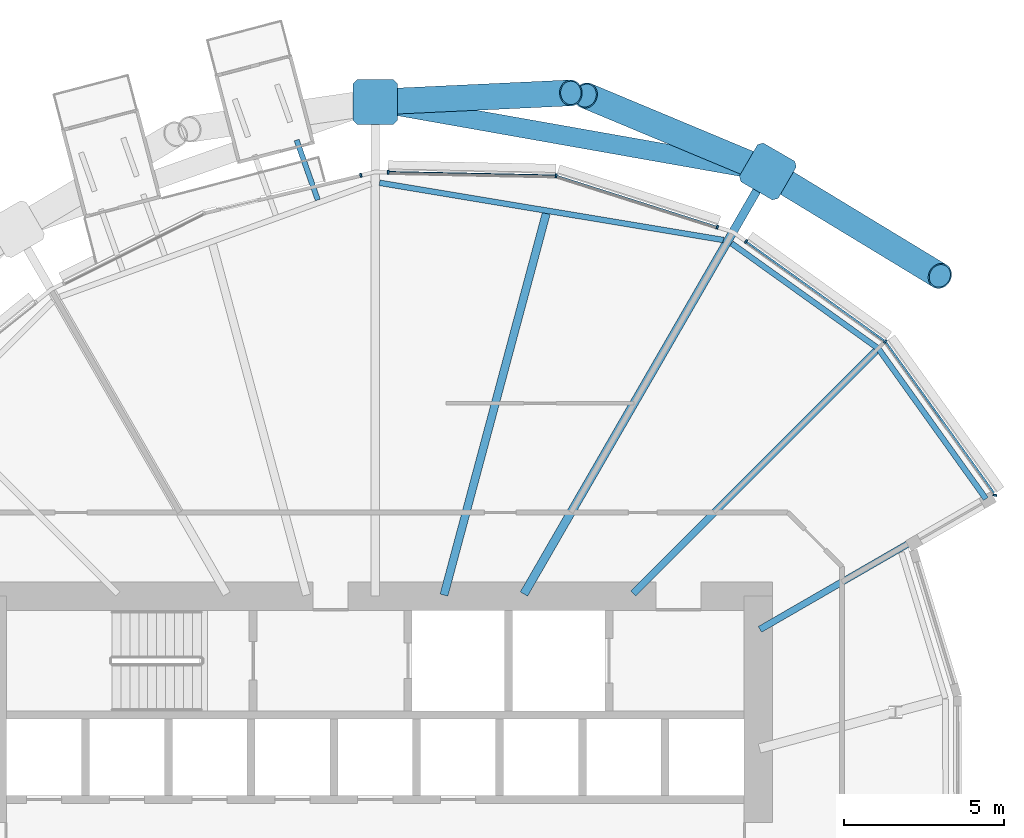
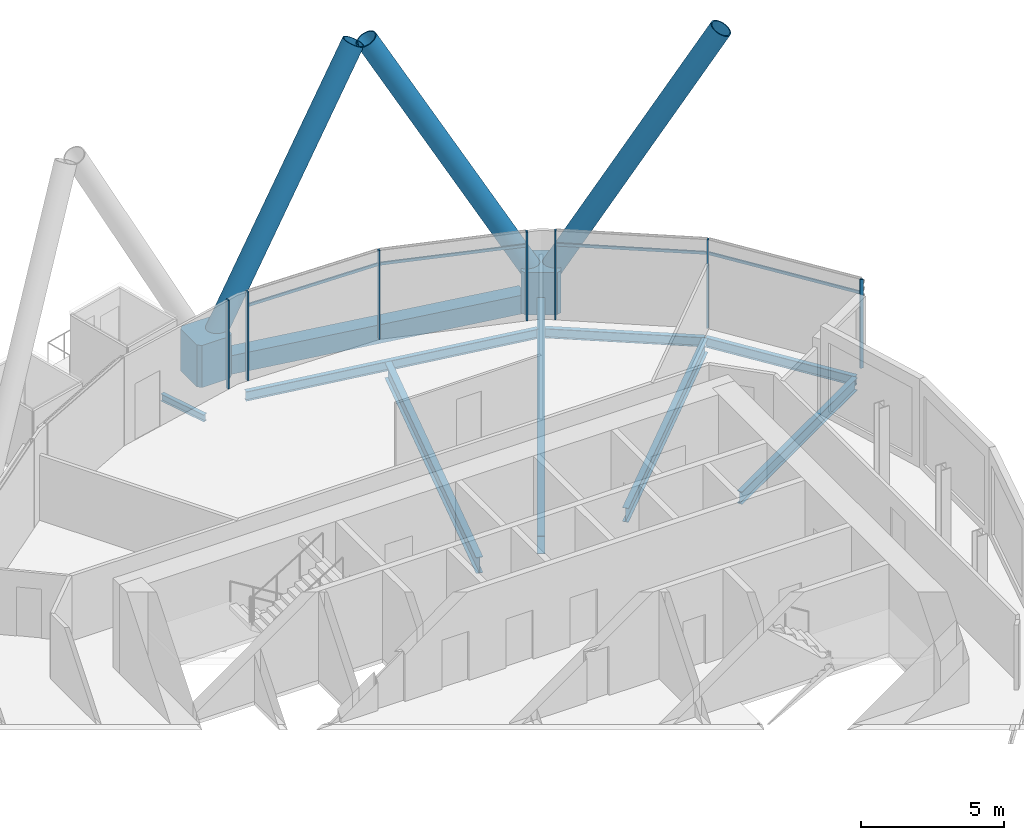
# One storey, part 19 of 34: 16 members, 9 beams, 1 element without a shape of its own.
"""IFC4 building model written with IfcOpenShell, lengths in metres."""

from ifc_helpers import new_model, si_unit, direction, frame, origin, origin_2d, place, context, subcontext, project, spatial, polyline, rectangle, hollow_rectangle, hollow_circle, i_section, outline, extrude, material, material_profile, profile_set, type_object, element, aggregate, save


model = new_model("IFC4")

# Units and contexts
model_context = context("Model", 3, precision=1e-05, world=origin(), true_north=direction((0.0, 1.0)))
body_context = subcontext(model_context, "Body", "Model", "MODEL_VIEW")
ifc_project = project(units=[si_unit("LENGTHUNIT", "METRE"), si_unit("AREAUNIT", "SQUARE_METRE"), si_unit("VOLUMEUNIT", "CUBIC_METRE"), si_unit("PLANEANGLEUNIT", "RADIAN"), si_unit("MASSUNIT", "GRAM", prefix="KILO")], contexts=[model_context])

# Site, building, storey
site_placement = place(None, origin())
site = spatial("IfcSite", under=ifc_project, at=site_placement, CompositionType="ELEMENT")
building_placement = place(site_placement, origin())
building = spatial("IfcBuilding", under=site, at=building_placement, Name="Rimbun Link Towers", CompositionType="ELEMENT")
storey_placement = place(building_placement, frame((0.0, 0.0, 41.39990234375)))
storey = spatial("IfcBuildingStorey", under=building, at=storey_placement, Name="L09", CompositionType="ELEMENT", Elevation=41.39990234375)

# Curtain wall, members
ifc_material_1 = material(Name="Aluminium 6063-T6 and low-iron glass", Category="aluminium")
curtain_wall_type = type_object("IfcCurtainWallType", Name="CW1 unitised vision wall", PredefinedType="NOTDEFINED", material=ifc_material_1)
curtain_wall_placement = place(storey_placement, origin())
curtain_wall = element("IfcCurtainWall", 1, at=curtain_wall_placement, inside=storey, type_object=curtain_wall_type, Name="CW1 L09 T2", PredefinedType="NOTDEFINED")
ifc_material_2 = material(Name="Aluminium 6063-T6", Category="aluminium")
ifc_material_profile_1 = material_profile(ifc_material_2, rectangle(XDim=0.1201171875, YDim=0.06005859375, at=origin_2d()), Name="MULLION 60X120")
ifc_profile_set_1 = profile_set([ifc_material_profile_1], Name="Aluminium 6063-T6")
member_type_1 = type_object("IfcMemberType", Name="CW1 mullion 60X120", PredefinedType="MULLION", material=ifc_profile_set_1)
member_1_placement = place(storey_placement, frame((43.367431640625, 19.11474609375, 0.0), z_axis=(0.0, 0.0, 1.0), x_axis=(0.582995512796, 0.812475373202, 0.0)))
member_1 = element("IfcMember", 2, at=member_1_placement, type_object=member_type_1, Name="CW1 mullion", PredefinedType="MULLION", context=body_context, shape_type="SweptSolid", body=[
    extrude(rectangle(XDim=0.1201171875, YDim=0.06005859375, at=origin_2d()), origin(), (0.0, 0.0, 1.0), 3.800048828125),
])
member_2_placement = place(storey_placement, frame((47.73193359375, 15.98193359375, 0.0), z_axis=(0.0, 0.0, 1.0), x_axis=(0.707106781187, 0.707106781187, 0.0)))
member_2 = element("IfcMember", 3, at=member_2_placement, type_object=member_type_1, Name="CW1 mullion", PredefinedType="MULLION", context=body_context, shape_type="SweptSolid", body=[
    extrude(rectangle(XDim=0.1201171875, YDim=0.06005859375, at=origin_2d()), origin(), (0.0, 0.0, 1.0), 3.800048828125),
])
member_3_placement = place(storey_placement, frame((37.4169921875, 21.171875, 0.0), z_axis=(0.0, 0.0, 1.0), x_axis=(0.163749935396, 0.986501879703, 0.0)))
member_3 = element("IfcMember", 4, at=member_3_placement, type_object=member_type_1, Name="CW1 mullion", PredefinedType="MULLION", context=body_context, shape_type="SweptSolid", body=[
    extrude(rectangle(XDim=0.1201171875, YDim=0.06005859375, at=origin_2d()), origin(), (0.0, 0.0, 1.0), 3.800048828125),
])
member_4_placement = place(storey_placement, frame((42.4677734375, 19.566162109375, 0.0), z_axis=(0.0, 0.0, 1.0), x_axis=(0.303071090127, 0.952967950316, 0.0)))
member_4 = element("IfcMember", 5, at=member_4_placement, type_object=member_type_1, Name="CW1 mullion", PredefinedType="MULLION", context=body_context, shape_type="SweptSolid", body=[
    extrude(rectangle(XDim=0.1201171875, YDim=0.06005859375, at=origin_2d()), origin(), (0.0, 0.0, 1.0), 3.800048828125),
])
member_5_placement = place(storey_placement, frame((32.151123046875, 21.283447265625, 0.0), z_axis=(0.0, 0.0, 1.0), x_axis=(0.021066190713, 0.999778083181, 0.0)))
member_5 = element("IfcMember", 6, at=member_5_placement, type_object=member_type_1, Name="CW1 mullion", PredefinedType="MULLION", context=body_context, shape_type="SweptSolid", body=[
    extrude(rectangle(XDim=0.1201171875, YDim=0.06005859375, at=origin_2d()), origin(), (0.0, 0.0, 1.0), 3.800048828125),
])
member_6_placement = place(storey_placement, frame((31.29833984375, 21.185546875, 0.0), z_axis=(0.0, 0.0, 1.0), x_axis=(-0.232609871785, 0.972570124746, 0.0)))
member_6 = element("IfcMember", 7, at=member_6_placement, type_object=member_type_1, Name="CW1 mullion", PredefinedType="MULLION", context=body_context, shape_type="SweptSolid", body=[
    extrude(rectangle(XDim=0.1201171875, YDim=0.06005859375, at=origin_2d()), origin(), (0.0, 0.0, 1.0), 3.800048828125),
])
member_7_placement = place(storey_placement, frame((51.166259765625, 11.163330078125, 0.0), z_axis=(0.0, 0.0, 1.0), x_axis=(0.977528822736, -0.210801804358, 0.0)))
member_7 = element("IfcMember", 8, at=member_7_placement, type_object=member_type_1, Name="CW1 mullion", PredefinedType="MULLION", context=body_context, shape_type="SweptSolid", body=[
    extrude(rectangle(XDim=0.1201171875, YDim=0.06005859375, at=origin_2d()), origin(), (0.0, 0.0, 1.0), 3.800048828125),
])
ifc_material_3 = material(Name="Aluminium 6063-T6", Category="aluminium")
ifc_material_profile_2 = material_profile(ifc_material_3, rectangle(XDim=0.06005859375, YDim=0.1201171875, at=origin_2d()), Name="TRANSOM 60X120")
ifc_profile_set_2 = profile_set([ifc_material_profile_2], Name="Aluminium 6063-T6")
member_type_2 = type_object("IfcMemberType", Name="CW1 transom 60X120", PredefinedType="USERDEFINED", material=ifc_profile_set_2)
member_8_placement = place(storey_placement, frame((43.390625, 19.095703125, 3.2001953125), z_axis=(0.812468559885, -0.583005007867, 0.0), x_axis=(0.583005007867, 0.812468559885, 0.0)))
member_8 = element("IfcMember", 9, at=member_8_placement, type_object=member_type_2, Name="CW1 transom", ObjectType="TRANSOM", PredefinedType="USERDEFINED", context=body_context, shape_type="SweptSolid", body=[
    extrude(rectangle(XDim=0.06005859375, YDim=0.1201171875, at=origin_2d()), origin(), (0.0, 0.0, 1.0), 5.302734375),
])
member_9_placement = place(storey_placement, frame((37.453369140625, 21.158935546875, 3.2001953125), z_axis=(0.952969899193, -0.303064962065, 0.0), x_axis=(0.303064962065, 0.952969899193, 0.0)))
member_9 = element("IfcMember", 10, at=member_9_placement, type_object=member_type_2, Name="CW1 transom", ObjectType="TRANSOM", PredefinedType="USERDEFINED", context=body_context, shape_type="SweptSolid", body=[
    extrude(rectangle(XDim=0.06005859375, YDim=0.1201171875, at=origin_2d()), origin(), (0.0, 0.0, 1.0), 5.2314453125),
])
member_10_placement = place(storey_placement, frame((32.18115234375, 21.28076171875, 3.2001953125), z_axis=(0.999778633406, -0.021040061432, 0.0), x_axis=(0.021040061432, 0.999778633406, 0.0)))
member_10 = element("IfcMember", 11, at=member_10_placement, type_object=member_type_2, Name="CW1 transom", ObjectType="TRANSOM", PredefinedType="USERDEFINED", context=body_context, shape_type="SweptSolid", body=[
    extrude(rectangle(XDim=0.06005859375, YDim=0.1201171875, at=origin_2d()), origin(), (0.0, 0.0, 1.0), 5.198486328125),
])
member_11_placement = place(storey_placement, frame((47.754150390625, 15.948974609375, 3.2001953125), z_axis=(0.583003884186, -0.812469366206, 0.0), x_axis=(0.812469366206, 0.583003884186, 0.0)))
member_11 = element("IfcMember", 12, at=member_11_placement, type_object=member_type_2, Name="CW1 transom", ObjectType="TRANSOM", PredefinedType="USERDEFINED", context=body_context, shape_type="SweptSolid", body=[
    extrude(rectangle(XDim=0.06005859375, YDim=0.1201171875, at=origin_2d()), origin(), (0.0, 0.0, 1.0), 5.802734375),
])
aggregate(curtain_wall, [member_1, member_2, member_3, member_4, member_5, member_6, member_7, member_8, member_9, member_10, member_11])

# Beam
ifc_material_4 = material(Name="Steel S355J2", Category="steel")
ifc_material_profile_3 = material_profile(ifc_material_4, i_section(OverallWidth=0.1650390625, OverallDepth=0.303466796875, WebThickness=0.006103515625, FlangeThickness=0.01025390625, at=origin_2d()), Name="UB 305x165x40")
ifc_profile_set_3 = profile_set([ifc_material_profile_3], Name="Steel S355J2")
beam_type_1 = type_object("IfcBeamType", Name="Capsule bracket beam UB 305x165x40", PredefinedType="BEAM", material=ifc_profile_set_3)
beam_1_placement = place(storey_placement, frame((29.94970703125, 20.413818359375, -0.3115234375), z_axis=(-0.333640657578, 0.942700329697, 0.0), x_axis=(-0.942700329697, -0.333640657578, 0.0)))
element("IfcBeam", 13, at=beam_1_placement, inside=storey, type_object=beam_type_1, Name="Capsule D092.02 bracket beam 3", PredefinedType="BEAM", context=body_context, shape_type="SweptSolid", body=[
    extrude(i_section(OverallWidth=0.1650390625, OverallDepth=0.303466796875, WebThickness=0.006103515625, FlangeThickness=0.01025390625, at=origin_2d()), origin(), (0.0, 0.0, 1.0), 1.99169921875),
])

# Members
ifc_material_5 = material(Name="Steel S460NH", Category="steel")
ifc_material_profile_4 = material_profile(ifc_material_5, hollow_circle(Radius=0.406494140625, WallThickness=0.0400390625, at=origin_2d()), Name="Diagrid diagonal CHS 813x40")
ifc_profile_set_4 = profile_set([ifc_material_profile_4], Name="Steel S460NH")
member_type_3 = type_object("IfcMemberType", Name="Diagrid diagonal CHS 813x40", PredefinedType="BRACE", material=ifc_profile_set_4)
member_12_placement = place(storey_placement, frame((44.26416015625, 21.1767578125, 0.43359375), z_axis=(0.426107998581, -0.258666804949, 0.86690452621), x_axis=(0.518917122427, 0.854824555129, 0.0)))
element("IfcMember", 14, at=member_12_placement, inside=storey, type_object=member_type_3, Name="Diagrid diagonal T2 L09-L12 01a", PredefinedType="BRACE", context=body_context, shape_type="SweptSolid", body=[
    extrude(hollow_circle(Radius=0.406494140625, WallThickness=0.0400390625, at=origin_2d()), origin(), (0.0, 0.0, 1.0), 12.150146484375),
])
member_13_placement = place(storey_placement, frame((43.82470703125, 21.400634765625, 0.435791015625), z_axis=(-0.453077353044, 0.189177823856, 0.871167413945), x_axis=(-0.385301802144, -0.922790616155, 0.0)))
element("IfcMember", 15, at=member_13_placement, inside=storey, type_object=member_type_3, Name="Diagrid diagonal T2 L09-L12 01b", PredefinedType="BRACE", context=body_context, shape_type="SweptSolid", body=[
    extrude(hollow_circle(Radius=0.406494140625, WallThickness=0.0400390625, at=origin_2d()), origin(), (0.0, 0.0, 1.0), 12.0859375),
])
member_14_placement = place(storey_placement, frame((31.993896484375, 23.493408203125, 0.436279296875), z_axis=(0.487785179461, 0.022929121202, 0.872662520164), x_axis=(-0.046954749235, 0.998897017477, 0.0)))
element("IfcMember", 16, at=member_14_placement, inside=storey, type_object=member_type_3, Name="Diagrid diagonal T2 L09-L12 03a", PredefinedType="BRACE", context=body_context, shape_type="SweptSolid", body=[
    extrude(hollow_circle(Radius=0.406494140625, WallThickness=0.0400390625, at=origin_2d()), origin(), (0.0, 0.0, 1.0), 12.063720703125),
])
ifc_material_6 = material(Name="Cast steel G20Mn5+QT, Rp0.2 300 MPa", Category="steel")
ifc_material_profile_5 = material_profile(ifc_material_6, outline(polyline([(0.699951171875, -0.570068359375), (0.699951171875, 0.570068359375), (0.570068359375, 0.699951171875), (-0.570068359375, 0.699951171875), (-0.699951171875, 0.570068359375), (-0.699951171875, -0.570068359375), (-0.570068359375, -0.699951171875), (0.570068359375, -0.699951171875), (0.699951171875, -0.570068359375)])), Name="NODE 1400x1400")
ifc_profile_set_5 = profile_set([ifc_material_profile_5], Name="Cast steel G20Mn5+QT, Rp0.2 300 MPa")
member_type_4 = type_object("IfcMemberType", Name="Diagrid node cast 1400", PredefinedType="USERDEFINED", material=ifc_profile_set_5)
for number, where, z_axis, x_axis, name in (
    (17, (44.051025390625, 21.30615234375, -0.89990234375), (0.0, 0.0, 1.0), (0.5, 0.866025403784, 0.0), "Diagrid node L09 01"),
    (18, (31.75, 23.48193359375, -0.89990234375), (0.0, 0.0, 1.0), (0.0, 1.0, 0.0), "Diagrid node L09 03"),
):
    element("IfcMember", number, at=place(storey_placement, frame(where, z_axis=z_axis, x_axis=x_axis)), inside=storey, type_object=member_type_4, Name=name, ObjectType="Diagrid node", PredefinedType="USERDEFINED", context=body_context, shape_type="SweptSolid", body=[
        extrude(outline(polyline([(0.699951171875, -0.570068359375), (0.699951171875, 0.570068359375), (0.570068359375, 0.699951171875), (-0.570068359375, 0.699951171875), (-0.699951171875, 0.570068359375), (-0.699951171875, -0.570068359375), (-0.570068359375, -0.699951171875), (0.570068359375, -0.699951171875), (0.699951171875, -0.570068359375)])), origin(), (0.0, 0.0, 1.0), 1.800048828125),
    ])

# Beams
ifc_material_7 = material(Name="Steel S355J2", Category="steel")
ifc_material_profile_6 = material_profile(ifc_material_7, hollow_rectangle(XDim=0.60009765625, YDim=0.800048828125, WallThickness=0.0400390625, at=origin_2d()), Name="Exoskeleton ring girder BOX 600x800x40")
ifc_profile_set_6 = profile_set([ifc_material_profile_6], Name="Steel S355J2")
beam_type_2 = type_object("IfcBeamType", Name="Exoskeleton ring girder BOX 600x800x40", PredefinedType="BEAM", material=ifc_profile_set_6)
beam_2_placement = place(storey_placement, frame((43.36181640625, 21.427978515625, -0.559814453125), z_axis=(-0.98471234956, 0.174188371095, 0.0), x_axis=(-0.174188371095, -0.98471234956, 0.0)))
element("IfcBeam", 19, at=beam_2_placement, inside=storey, type_object=beam_type_2, Name="Exoskeleton ring girder L09 00", PredefinedType="BEAM", context=body_context, shape_type="SweptSolid", body=[
    extrude(hollow_rectangle(XDim=0.60009765625, YDim=0.800048828125, WallThickness=0.0400390625, at=origin_2d()), origin(), (0.0, 0.0, 1.0), 11.09228515625),
])
ifc_material_8 = material(Name="Steel S355J2", Category="steel")
ifc_material_profile_7 = material_profile(ifc_material_8, i_section(OverallWidth=0.177978515625, OverallDepth=0.406494140625, WebThickness=0.0078125, FlangeThickness=0.0126953125, at=origin_2d()), Name="UB 406x178x60")
ifc_profile_set_7 = profile_set([ifc_material_profile_7], Name="Steel S355J2")
beam_type_3 = type_object("IfcBeamType", Name="UB 406x178x60", PredefinedType="BEAM", material=ifc_profile_set_7)
beam_3_placement = place(storey_placement, frame((47.49755859375, 15.76953125, -0.363037109375), z_axis=(-0.812936732741, 0.582352014301, 0.0), x_axis=(-0.582352014301, -0.812936732741, 0.0)))
element("IfcBeam", 20, at=beam_3_placement, inside=storey, type_object=beam_type_3, Name="Edge beam T2 L09 00", PredefinedType="BEAM", context=body_context, shape_type="SweptSolid", body=[
    extrude(i_section(OverallWidth=0.177978515625, OverallDepth=0.406494140625, WebThickness=0.0078125, FlangeThickness=0.0126953125, at=origin_2d()), origin(), (0.0, 0.0, 1.0), 5.636962890625),
])
beam_4_placement = place(storey_placement, frame((42.656494140625, 19.159423828125, -0.363037109375), z_axis=(-0.986429549967, 0.164185087482, 0.0), x_axis=(-0.164185087482, -0.986429549967, 0.0)))
element("IfcBeam", 21, at=beam_4_placement, inside=storey, type_object=beam_type_3, Name="Edge beam T2 L09 01-03", PredefinedType="BEAM", context=body_context, shape_type="SweptSolid", body=[
    extrude(i_section(OverallWidth=0.177978515625, OverallDepth=0.406494140625, WebThickness=0.0078125, FlangeThickness=0.0126953125, at=origin_2d()), origin(), (0.0, 0.0, 1.0), 10.92041015625),
])
beam_5_placement = place(storey_placement, frame((50.88525390625, 11.048828125, -0.363037109375), z_axis=(-0.582324506296, 0.812956437558, 0.0), x_axis=(-0.812956437558, -0.582324506296, 0.0)))
element("IfcBeam", 22, at=beam_5_placement, inside=storey, type_object=beam_type_3, Name="Edge beam T2 L09 23", PredefinedType="BEAM", context=body_context, shape_type="SweptSolid", body=[
    extrude(i_section(OverallWidth=0.177978515625, OverallDepth=0.406494140625, WebThickness=0.0078125, FlangeThickness=0.0126953125, at=origin_2d()), origin(), (0.0, 0.0, 1.0), 5.77978515625),
])
ifc_material_9 = material(Name="Steel S355J2", Category="steel")
ifc_material_profile_8 = material_profile(ifc_material_9, i_section(OverallWidth=0.209228515625, OverallDepth=0.533203125, WebThickness=0.010009765625, FlangeThickness=0.015625, at=origin_2d()), Name="UB 533x210x92")
ifc_profile_set_8 = profile_set([ifc_material_profile_8], Name="Steel S355J2")
beam_type_4 = type_object("IfcBeamType", Name="UB 533x210x92", PredefinedType="BEAM", material=ifc_profile_set_8)
beam_6_placement = place(storey_placement, frame((43.80322265625, 6.958984375, -0.426513671875), z_axis=(0.866027746362, 0.499995942515, 0.0), x_axis=(-0.499995942515, 0.866027746362, 0.0)))
element("IfcBeam", 23, at=beam_6_placement, inside=storey, type_object=beam_type_4, Name="Radial beam T2 L09 23", PredefinedType="BEAM", context=body_context, shape_type="SweptSolid", body=[
    extrude(i_section(OverallWidth=0.209228515625, OverallDepth=0.533203125, WebThickness=0.010009765625, FlangeThickness=0.015625, at=origin_2d()), origin(), (0.0, 0.0, 1.0), 8.087890625),
])
ifc_material_10 = material(Name="Steel S355J2", Category="steel")
ifc_material_profile_9 = material_profile(ifc_material_10, i_section(OverallWidth=0.2275390625, OverallDepth=0.6025390625, WebThickness=0.010498046875, FlangeThickness=0.014892578125, at=origin_2d()), Name="UB 610x229x101")
ifc_profile_set_9 = profile_set([ifc_material_profile_9], Name="Steel S355J2")
beam_type_5 = type_object("IfcBeamType", Name="UB 610x229x101", PredefinedType="BEAM", material=ifc_profile_set_9)
beam_7_placement = place(storey_placement, frame((39.831298828125, 8.081298828125, -0.461181640625), z_axis=(0.707106781187, 0.707106781187, 0.0), x_axis=(-0.707106781187, 0.707106781187, 0.0)))
element("IfcBeam", 24, at=beam_7_placement, inside=storey, type_object=beam_type_5, Name="Radial beam T2 L09 00", PredefinedType="BEAM", context=body_context, shape_type="SweptSolid", body=[
    extrude(i_section(OverallWidth=0.2275390625, OverallDepth=0.6025390625, WebThickness=0.010498046875, FlangeThickness=0.014892578125, at=origin_2d()), origin(), (0.0, 0.0, 1.0), 10.77001953125),
])
ifc_material_11 = material(Name="Steel S355J2", Category="steel")
ifc_material_profile_10 = material_profile(ifc_material_11, i_section(OverallWidth=0.253662109375, OverallDepth=0.68359375, WebThickness=0.012451171875, FlangeThickness=0.01904296875, at=origin_2d()), Name="UB 686x254x140")
ifc_profile_set_10 = profile_set([ifc_material_profile_10], Name="Steel S355J2")
beam_type_6 = type_object("IfcBeamType", Name="UB 686x254x140", PredefinedType="BEAM", material=ifc_profile_set_10)
beam_8_placement = place(storey_placement, frame((33.902587890625, 8.03369140625, -0.501708984375), z_axis=(0.258811328471, 0.965927893921, 0.0), x_axis=(-0.965927893921, 0.258811328471, 0.0)))
element("IfcBeam", 25, at=beam_8_placement, inside=storey, type_object=beam_type_6, Name="Radial beam T2 L09 02", PredefinedType="BEAM", context=body_context, shape_type="SweptSolid", body=[
    extrude(i_section(OverallWidth=0.253662109375, OverallDepth=0.68359375, WebThickness=0.012451171875, FlangeThickness=0.01904296875, at=origin_2d()), origin(), (0.0, 0.0, 1.0), 12.380126953125),
])
ifc_material_12 = material(Name="Steel S355J2", Category="steel")
ifc_material_profile_11 = material_profile(ifc_material_12, i_section(OverallWidth=0.2666015625, OverallDepth=0.76220703125, WebThickness=0.014404296875, FlangeThickness=0.021484375, at=origin_2d()), Name="UB 762x267x173")
ifc_profile_set_11 = profile_set([ifc_material_profile_11], Name="Steel S355J2")
beam_type_7 = type_object("IfcBeamType", Name="UB 762x267x173", PredefinedType="BEAM", material=ifc_profile_set_11)
beam_9_placement = place(storey_placement, frame((36.40771484375, 8.0673828125, -0.541015625), z_axis=(0.49999781661, 0.866026664361, 0.0), x_axis=(-0.866026664361, 0.49999781661, 0.0)))
element("IfcBeam", 26, at=beam_9_placement, inside=storey, type_object=beam_type_7, Name="Radial beam T2 L09 01", PredefinedType="BEAM", context=body_context, shape_type="SweptSolid", body=[
    extrude(i_section(OverallWidth=0.2666015625, OverallDepth=0.76220703125, WebThickness=0.014404296875, FlangeThickness=0.021484375, at=origin_2d()), origin(), (0.0, 0.0, 1.0), 14.78662109375),
])

save(model, "model.ifc")
